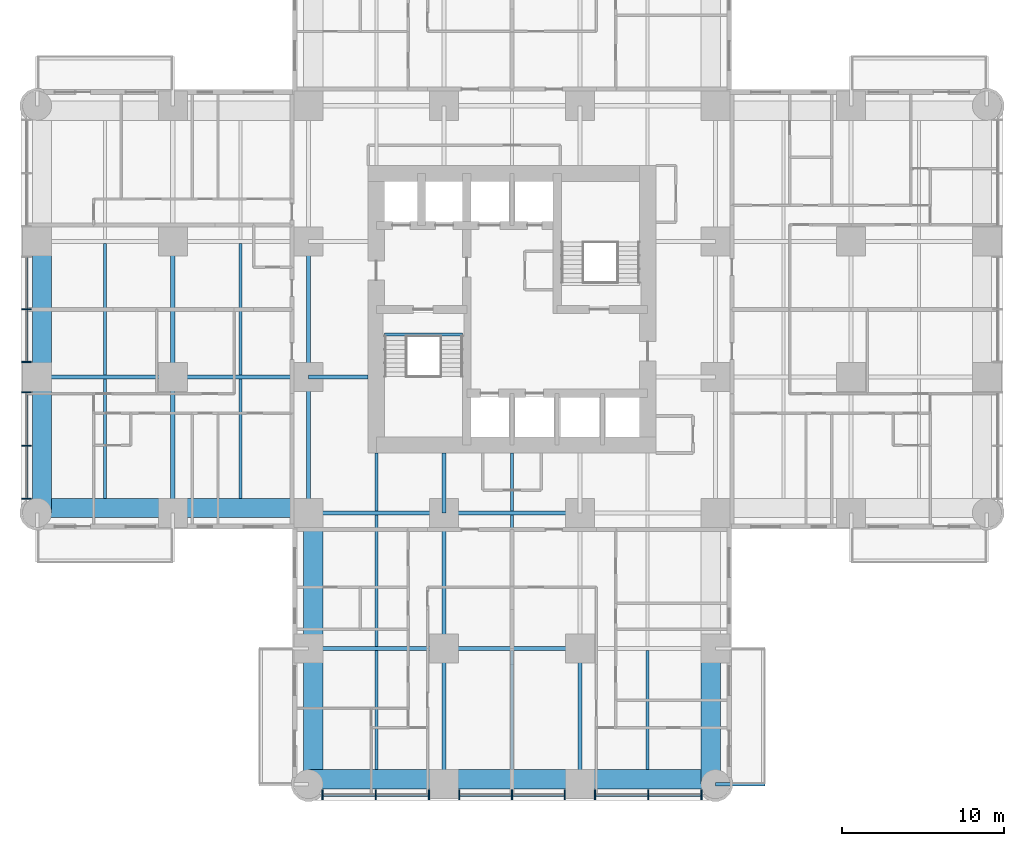
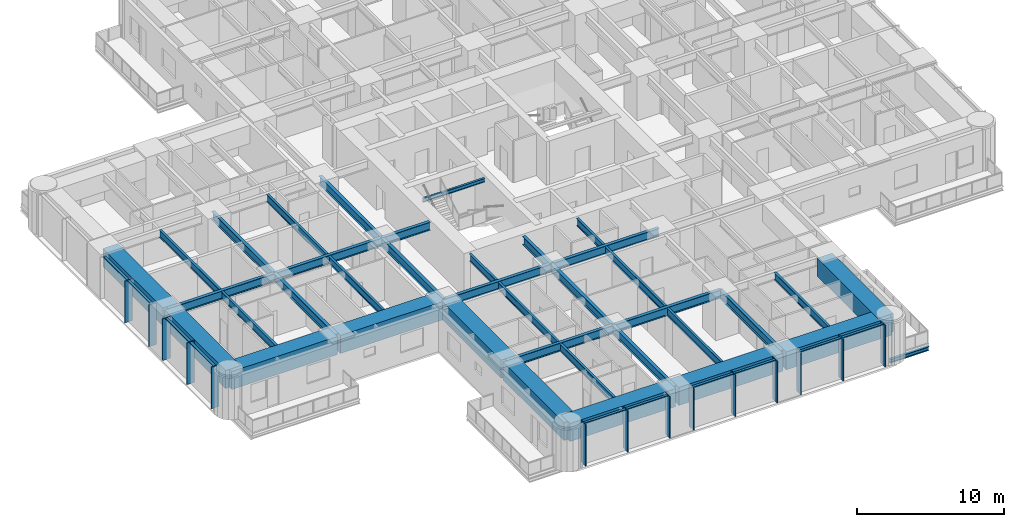
# One storey, part 2 of 17: 38 beams, 24 members, 2 elements without a shape of their own.
"""IFC4 building model written with IfcOpenShell, lengths in metres."""

from ifc_helpers import new_model, si_unit, direction, frame, origin, origin_2d, place, context, subcontext, project, spatial, rectangle, i_section, extrude, material, material_profile, profile_set, type_object, element, aggregate, save


model = new_model("IFC4")

# Units and contexts
model_context = context("Model", 3, precision=1e-05, world=origin(), true_north=direction((0.0, 1.0)))
body_context = subcontext(model_context, "Body", "Model", "MODEL_VIEW")
ifc_project = project(units=[si_unit("LENGTHUNIT", "METRE"), si_unit("AREAUNIT", "SQUARE_METRE"), si_unit("VOLUMEUNIT", "CUBIC_METRE"), si_unit("PLANEANGLEUNIT", "RADIAN"), si_unit("MASSUNIT", "GRAM", prefix="KILO")], contexts=[model_context])

# Site, building, storey
site_placement = place(None, origin())
site = spatial("IfcSite", under=ifc_project, at=site_placement, CompositionType="ELEMENT")
building_placement = place(site_placement, origin())
building = spatial("IfcBuilding", under=site, at=building_placement, Name="Torre Alcanfor", CompositionType="ELEMENT")
storey_placement = place(building_placement, frame((0.0, 0.0, 45.300048828125)))
storey = spatial("IfcBuildingStorey", under=building, at=storey_placement, Name="L10", CompositionType="ELEMENT", Elevation=45.300048828125)

# Beam
ifc_material_1 = material(Name="Steel ASTM A992 Grade 50", Category="steel")
ifc_material_profile_1 = material_profile(ifc_material_1, i_section(OverallWidth=0.205322265625, OverallDepth=0.309814453125, WebThickness=0.00927734375, FlangeThickness=0.016357421875, at=origin_2d()), Name="W12x50")
ifc_profile_set_1 = profile_set([ifc_material_profile_1], Name="Steel ASTM A992 Grade 50")
beam_type_1 = type_object("IfcBeamType", Name="Balcony cantilever beam W12x50", PredefinedType="BEAM", material=ifc_profile_set_1)
beam_1_placement = place(storey_placement, frame((42.0, 0.0, -0.35498046875), z_axis=(1.0, 0.0, 0.0), x_axis=(0.0, 1.0, 0.0)))
element("IfcBeam", 1, at=beam_1_placement, inside=storey, type_object=beam_type_1, Name="Balcony cantilever beam L10-S1 2", PredefinedType="BEAM", context=body_context, shape_type="SweptSolid", body=[
    extrude(i_section(OverallWidth=0.205322265625, OverallDepth=0.309814453125, WebThickness=0.00927734375, FlangeThickness=0.016357421875, at=origin_2d()), origin(), (0.0, 0.0, 1.0), 3.050048828125),
])

# Curtain wall, members
ifc_material_2 = material(Name="Aluminium and glass", Category="aluminium")
curtain_wall_type = type_object("IfcCurtainWallType", Name="CW-A unitised apartment glazing with vertical FIN", PredefinedType="NOTDEFINED", material=ifc_material_2)
curtain_wall_1_placement = place(storey_placement, origin())
curtain_wall_1 = element("IfcCurtainWall", 2, at=curtain_wall_1_placement, inside=storey, type_object=curtain_wall_type, Name="Curtain wall CW-A L10 2", PredefinedType="NOTDEFINED")
ifc_material_3 = material(Name="Bronze anodised aluminium", Category="aluminium")
ifc_material_profile_2 = material_profile(ifc_material_3, rectangle(XDim=0.60009765625, YDim=0.06494140625, at=origin_2d()), Name="CW-A mullion 65x600")
ifc_profile_set_2 = profile_set([ifc_material_profile_2], Name="Bronze anodised aluminium")
member_type_1 = type_object("IfcMemberType", Name="CW-A mullion with vertical FIN 65x600", PredefinedType="MULLION", material=ifc_profile_set_2)
member_1_placement = place(storey_placement, frame((-0.64990234375, 29.39990234375, 0.0), z_axis=(0.0, 0.0, 1.0), x_axis=(1.0, 0.0, 0.0)))
member_1 = element("IfcMember", 3, at=member_1_placement, type_object=member_type_1, Name="CW-A mullion 2.2", PredefinedType="MULLION", context=body_context, shape_type="SweptSolid", body=[
    extrude(rectangle(XDim=0.60009765625, YDim=0.06494140625, at=origin_2d()), origin(), (0.0, 0.0, 1.0), 3.449951171875),
])
member_2_placement = place(storey_placement, frame((-0.64990234375, 26.137451171875, 0.0), z_axis=(0.0, 0.0, 1.0), x_axis=(1.0, 0.0, 0.0)))
member_2 = element("IfcMember", 4, at=member_2_placement, type_object=member_type_1, Name="CW-A mullion 2.3", PredefinedType="MULLION", context=body_context, shape_type="SweptSolid", body=[
    extrude(rectangle(XDim=0.60009765625, YDim=0.06494140625, at=origin_2d()), origin(), (0.0, 0.0, 1.0), 3.449951171875),
])
member_3_placement = place(storey_placement, frame((-0.64990234375, 24.262451171875, 0.0), z_axis=(0.0, 0.0, 1.0), x_axis=(1.0, 0.0, 0.0)))
member_3 = element("IfcMember", 5, at=member_3_placement, type_object=member_type_1, Name="CW-A mullion 3.1", PredefinedType="MULLION", context=body_context, shape_type="SweptSolid", body=[
    extrude(rectangle(XDim=0.60009765625, YDim=0.06494140625, at=origin_2d()), origin(), (0.0, 0.0, 1.0), 3.449951171875),
])
member_4_placement = place(storey_placement, frame((-0.64990234375, 20.96484375, 0.0), z_axis=(0.0, 0.0, 1.0), x_axis=(1.0, 0.0, 0.0)))
member_4 = element("IfcMember", 6, at=member_4_placement, type_object=member_type_1, Name="CW-A mullion 3.2", PredefinedType="MULLION", context=body_context, shape_type="SweptSolid", body=[
    extrude(rectangle(XDim=0.60009765625, YDim=0.06494140625, at=origin_2d()), origin(), (0.0, 0.0, 1.0), 3.449951171875),
])
member_5_placement = place(storey_placement, frame((-0.64990234375, 17.6669921875, 0.0), z_axis=(0.0, 0.0, 1.0), x_axis=(1.0, 0.0, 0.0)))
member_5 = element("IfcMember", 7, at=member_5_placement, type_object=member_type_1, Name="CW-A mullion 3.3", PredefinedType="MULLION", context=body_context, shape_type="SweptSolid", body=[
    extrude(rectangle(XDim=0.60009765625, YDim=0.06494140625, at=origin_2d()), origin(), (0.0, 0.0, 1.0), 3.449951171875),
])

curtain_wall_2_placement = place(storey_placement, origin())
curtain_wall_2 = element("IfcCurtainWall", 8, at=curtain_wall_2_placement, inside=storey, type_object=curtain_wall_type, Name="Curtain wall CW-A L10 5", PredefinedType="NOTDEFINED")
member_6_placement = place(storey_placement, frame((17.6669921875, -0.64990234375, 0.0), z_axis=(0.0, 0.0, 1.0), x_axis=(0.0, 1.0, 0.0)))
member_6 = element("IfcMember", 9, at=member_6_placement, type_object=member_type_1, Name="CW-A mullion 1.1", PredefinedType="MULLION", context=body_context, shape_type="SweptSolid", body=[
    extrude(rectangle(XDim=0.60009765625, YDim=0.06494140625, at=origin_2d()), origin(), (0.0, 0.0, 1.0), 3.449951171875),
])
member_7_placement = place(storey_placement, frame((20.96484375, -0.64990234375, 0.0), z_axis=(0.0, 0.0, 1.0), x_axis=(0.0, 1.0, 0.0)))
member_7 = element("IfcMember", 10, at=member_7_placement, type_object=member_type_1, Name="CW-A mullion 1.2", PredefinedType="MULLION", context=body_context, shape_type="SweptSolid", body=[
    extrude(rectangle(XDim=0.60009765625, YDim=0.06494140625, at=origin_2d()), origin(), (0.0, 0.0, 1.0), 3.449951171875),
])
member_8_placement = place(storey_placement, frame((24.262451171875, -0.64990234375, 0.0), z_axis=(0.0, 0.0, 1.0), x_axis=(0.0, 1.0, 0.0)))
member_8 = element("IfcMember", 11, at=member_8_placement, type_object=member_type_1, Name="CW-A mullion 1.3", PredefinedType="MULLION", context=body_context, shape_type="SweptSolid", body=[
    extrude(rectangle(XDim=0.60009765625, YDim=0.06494140625, at=origin_2d()), origin(), (0.0, 0.0, 1.0), 3.449951171875),
])
member_9_placement = place(storey_placement, frame((26.137451171875, -0.64990234375, 0.0), z_axis=(0.0, 0.0, 1.0), x_axis=(0.0, 1.0, 0.0)))
member_9 = element("IfcMember", 12, at=member_9_placement, type_object=member_type_1, Name="CW-A mullion 2.1", PredefinedType="MULLION", context=body_context, shape_type="SweptSolid", body=[
    extrude(rectangle(XDim=0.60009765625, YDim=0.06494140625, at=origin_2d()), origin(), (0.0, 0.0, 1.0), 3.449951171875),
])
member_10_placement = place(storey_placement, frame((29.39990234375, -0.64990234375, 0.0), z_axis=(0.0, 0.0, 1.0), x_axis=(0.0, 1.0, 0.0)))
member_10 = element("IfcMember", 13, at=member_10_placement, type_object=member_type_1, Name="CW-A mullion 2.2", PredefinedType="MULLION", context=body_context, shape_type="SweptSolid", body=[
    extrude(rectangle(XDim=0.60009765625, YDim=0.06494140625, at=origin_2d()), origin(), (0.0, 0.0, 1.0), 3.449951171875),
])
member_11_placement = place(storey_placement, frame((32.66259765625, -0.64990234375, 0.0), z_axis=(0.0, 0.0, 1.0), x_axis=(0.0, 1.0, 0.0)))
member_11 = element("IfcMember", 14, at=member_11_placement, type_object=member_type_1, Name="CW-A mullion 2.3", PredefinedType="MULLION", context=body_context, shape_type="SweptSolid", body=[
    extrude(rectangle(XDim=0.60009765625, YDim=0.06494140625, at=origin_2d()), origin(), (0.0, 0.0, 1.0), 3.449951171875),
])
member_12_placement = place(storey_placement, frame((34.53759765625, -0.64990234375, 0.0), z_axis=(0.0, 0.0, 1.0), x_axis=(0.0, 1.0, 0.0)))
member_12 = element("IfcMember", 15, at=member_12_placement, type_object=member_type_1, Name="CW-A mullion 3.1", PredefinedType="MULLION", context=body_context, shape_type="SweptSolid", body=[
    extrude(rectangle(XDim=0.60009765625, YDim=0.06494140625, at=origin_2d()), origin(), (0.0, 0.0, 1.0), 3.449951171875),
])
member_13_placement = place(storey_placement, frame((37.835205078125, -0.64990234375, 0.0), z_axis=(0.0, 0.0, 1.0), x_axis=(0.0, 1.0, 0.0)))
member_13 = element("IfcMember", 16, at=member_13_placement, type_object=member_type_1, Name="CW-A mullion 3.2", PredefinedType="MULLION", context=body_context, shape_type="SweptSolid", body=[
    extrude(rectangle(XDim=0.60009765625, YDim=0.06494140625, at=origin_2d()), origin(), (0.0, 0.0, 1.0), 3.449951171875),
])
member_14_placement = place(storey_placement, frame((41.133056640625, -0.64990234375, 0.0), z_axis=(0.0, 0.0, 1.0), x_axis=(0.0, 1.0, 0.0)))
member_14 = element("IfcMember", 17, at=member_14_placement, type_object=member_type_1, Name="CW-A mullion 3.3", PredefinedType="MULLION", context=body_context, shape_type="SweptSolid", body=[
    extrude(rectangle(XDim=0.60009765625, YDim=0.06494140625, at=origin_2d()), origin(), (0.0, 0.0, 1.0), 3.449951171875),
])

# Member
ifc_material_4 = material(Name="Extruded aluminium", Category="aluminium")
ifc_material_profile_3 = material_profile(ifc_material_4, rectangle(XDim=0.199951171875, YDim=0.06494140625, at=origin_2d()), Name="CW-A transom 200x65")
ifc_profile_set_3 = profile_set([ifc_material_profile_3], Name="Extruded aluminium")
member_type_2 = type_object("IfcMemberType", Name="CW-A transom 65x200", PredefinedType="USERDEFINED", material=ifc_profile_set_3)
member_15_placement = place(storey_placement, frame((-0.64990234375, 32.6298828125, 3.41748046875), z_axis=(0.0, -1.0, 0.0), x_axis=(1.0, 0.0, 0.0)))
member_15 = element("IfcMember", 18, at=member_15_placement, type_object=member_type_2, Name="CW-A transom 2.1.2", ObjectType="TRANSOM", PredefinedType="USERDEFINED", context=body_context, shape_type="SweptSolid", body=[
    extrude(rectangle(XDim=0.199951171875, YDim=0.06494140625, at=origin_2d()), origin(), (0.0, 0.0, 1.0), 3.197265625),
])

member_16_placement = place(storey_placement, frame((-0.64990234375, 29.367431640625, 3.41748046875), z_axis=(0.0, -1.0, 0.0), x_axis=(1.0, 0.0, 0.0)))
member_16 = element("IfcMember", 19, at=member_16_placement, type_object=member_type_2, Name="CW-A transom 2.2.2", ObjectType="TRANSOM", PredefinedType="USERDEFINED", context=body_context, shape_type="SweptSolid", body=[
    extrude(rectangle(XDim=0.199951171875, YDim=0.06494140625, at=origin_2d()), origin(), (0.0, 0.0, 1.0), 3.197509765625),
])

member_17_placement = place(storey_placement, frame((-0.64990234375, 24.22998046875, 3.41748046875), z_axis=(0.0, -1.0, 0.0), x_axis=(1.0, 0.0, 0.0)))
member_17 = element("IfcMember", 20, at=member_17_placement, type_object=member_type_2, Name="CW-A transom 3.1.2", ObjectType="TRANSOM", PredefinedType="USERDEFINED", context=body_context, shape_type="SweptSolid", body=[
    extrude(rectangle(XDim=0.199951171875, YDim=0.06494140625, at=origin_2d()), origin(), (0.0, 0.0, 1.0), 3.232666015625),
])

member_18_placement = place(storey_placement, frame((-0.64990234375, 20.93212890625, 3.41748046875), z_axis=(0.0, -1.0, 0.0), x_axis=(1.0, 0.0, 0.0)))
member_18 = element("IfcMember", 21, at=member_18_placement, type_object=member_type_2, Name="CW-A transom 3.2.2", ObjectType="TRANSOM", PredefinedType="USERDEFINED", context=body_context, shape_type="SweptSolid", body=[
    extrude(rectangle(XDim=0.199951171875, YDim=0.06494140625, at=origin_2d()), origin(), (0.0, 0.0, 1.0), 3.232666015625),
])

aggregate(curtain_wall_1, [member_1, member_2, member_15, member_16, member_3, member_4, member_5, member_17, member_18])

member_19_placement = place(storey_placement, frame((17.699462890625, -0.64990234375, 3.41748046875), z_axis=(1.0, 0.0, 0.0), x_axis=(0.0, 1.0, 0.0)))
member_19 = element("IfcMember", 22, at=member_19_placement, type_object=member_type_2, Name="CW-A transom 1.1.2", ObjectType="TRANSOM", PredefinedType="USERDEFINED", context=body_context, shape_type="SweptSolid", body=[
    extrude(rectangle(XDim=0.199951171875, YDim=0.06494140625, at=origin_2d()), origin(), (0.0, 0.0, 1.0), 3.232666015625),
])

member_20_placement = place(storey_placement, frame((20.997314453125, -0.64990234375, 3.41748046875), z_axis=(1.0, 0.0, 0.0), x_axis=(0.0, 1.0, 0.0)))
member_20 = element("IfcMember", 23, at=member_20_placement, type_object=member_type_2, Name="CW-A transom 1.2.2", ObjectType="TRANSOM", PredefinedType="USERDEFINED", context=body_context, shape_type="SweptSolid", body=[
    extrude(rectangle(XDim=0.199951171875, YDim=0.06494140625, at=origin_2d()), origin(), (0.0, 0.0, 1.0), 3.232666015625),
])

member_21_placement = place(storey_placement, frame((26.169921875, -0.64990234375, 3.41748046875), z_axis=(1.0, 0.0, 0.0), x_axis=(0.0, 1.0, 0.0)))
member_21 = element("IfcMember", 24, at=member_21_placement, type_object=member_type_2, Name="CW-A transom 2.1.2", ObjectType="TRANSOM", PredefinedType="USERDEFINED", context=body_context, shape_type="SweptSolid", body=[
    extrude(rectangle(XDim=0.199951171875, YDim=0.06494140625, at=origin_2d()), origin(), (0.0, 0.0, 1.0), 3.197509765625),
])

member_22_placement = place(storey_placement, frame((29.4326171875, -0.64990234375, 3.41748046875), z_axis=(1.0, 0.0, 0.0), x_axis=(0.0, 1.0, 0.0)))
member_22 = element("IfcMember", 25, at=member_22_placement, type_object=member_type_2, Name="CW-A transom 2.2.2", ObjectType="TRANSOM", PredefinedType="USERDEFINED", context=body_context, shape_type="SweptSolid", body=[
    extrude(rectangle(XDim=0.199951171875, YDim=0.06494140625, at=origin_2d()), origin(), (0.0, 0.0, 1.0), 3.197265625),
])

member_23_placement = place(storey_placement, frame((34.570068359375, -0.64990234375, 3.41748046875), z_axis=(1.0, 0.0, 0.0), x_axis=(0.0, 1.0, 0.0)))
member_23 = element("IfcMember", 26, at=member_23_placement, type_object=member_type_2, Name="CW-A transom 3.1.2", ObjectType="TRANSOM", PredefinedType="USERDEFINED", context=body_context, shape_type="SweptSolid", body=[
    extrude(rectangle(XDim=0.199951171875, YDim=0.06494140625, at=origin_2d()), origin(), (0.0, 0.0, 1.0), 3.232666015625),
])

member_24_placement = place(storey_placement, frame((37.86767578125, -0.64990234375, 3.41748046875), z_axis=(1.0, 0.0, 0.0), x_axis=(0.0, 1.0, 0.0)))
member_24 = element("IfcMember", 27, at=member_24_placement, type_object=member_type_2, Name="CW-A transom 3.2.2", ObjectType="TRANSOM", PredefinedType="USERDEFINED", context=body_context, shape_type="SweptSolid", body=[
    extrude(rectangle(XDim=0.199951171875, YDim=0.06494140625, at=origin_2d()), origin(), (0.0, 0.0, 1.0), 3.23291015625),
])

aggregate(curtain_wall_2, [member_6, member_7, member_8, member_19, member_20, member_9, member_10, member_11, member_21, member_22, member_12, member_13, member_14, member_23, member_24])

# Beams
ifc_material_5 = material(Name="Steel ASTM A992 Grade 50", Category="steel")
ifc_material_profile_4 = material_profile(ifc_material_5, i_section(OverallWidth=0.25390625, OverallDepth=0.683349609375, WebThickness=0.012451171875, FlangeThickness=0.01904296875, at=origin_2d()), Name="W27x94")
ifc_profile_set_4 = profile_set([ifc_material_profile_4], Name="Steel ASTM A992 Grade 50")
beam_type_2 = type_object("IfcBeamType", Name="Girder W27x94", PredefinedType="BEAM", material=ifc_profile_set_4)
beam_2_placement = place(storey_placement, frame((16.800048828125, 8.39990234375, 3.1083984375), z_axis=(1.0, 0.0, 0.0), x_axis=(0.0, 1.0, 0.0)))
element("IfcBeam", 28, at=beam_2_placement, inside=storey, type_object=beam_type_2, Name="Beam 3D-4D under L11", PredefinedType="BEAM", context=body_context, shape_type="SweptSolid", body=[
    extrude(i_section(OverallWidth=0.25390625, OverallDepth=0.683349609375, WebThickness=0.012451171875, FlangeThickness=0.01904296875, at=origin_2d()), origin(), (0.0, 0.0, 1.0), 8.39990234375),
])
beam_3_placement = place(storey_placement, frame((25.199951171875, 8.39990234375, 3.1083984375), z_axis=(1.0, 0.0, 0.0), x_axis=(0.0, 1.0, 0.0)))
element("IfcBeam", 29, at=beam_3_placement, inside=storey, type_object=beam_type_2, Name="Beam 4D-5D under L11", PredefinedType="BEAM", context=body_context, shape_type="SweptSolid", body=[
    extrude(i_section(OverallWidth=0.25390625, OverallDepth=0.683349609375, WebThickness=0.012451171875, FlangeThickness=0.01904296875, at=origin_2d()), origin(), (0.0, 0.0, 1.0), 8.400146484375),
])
beam_4_placement = place(storey_placement, frame((16.800048828125, 16.800048828125, 3.1083984375), z_axis=(1.0, 0.0, 0.0), x_axis=(0.0, 1.0, 0.0)))
element("IfcBeam", 30, at=beam_4_placement, inside=storey, type_object=beam_type_2, Name="Beam 3E-4E under L11", PredefinedType="BEAM", context=body_context, shape_type="SweptSolid", body=[
    extrude(i_section(OverallWidth=0.25390625, OverallDepth=0.683349609375, WebThickness=0.012451171875, FlangeThickness=0.01904296875, at=origin_2d()), origin(), (0.0, 0.0, 1.0), 8.39990234375),
])
beam_5_placement = place(storey_placement, frame((25.199951171875, 16.800048828125, 3.1083984375), z_axis=(1.0, 0.0, 0.0), x_axis=(0.0, 1.0, 0.0)))
element("IfcBeam", 31, at=beam_5_placement, inside=storey, type_object=beam_type_2, Name="Beam 4E-5E under L11", PredefinedType="BEAM", context=body_context, shape_type="SweptSolid", body=[
    extrude(i_section(OverallWidth=0.25390625, OverallDepth=0.683349609375, WebThickness=0.012451171875, FlangeThickness=0.01904296875, at=origin_2d()), origin(), (0.0, 0.0, 1.0), 8.400146484375),
])
beam_6_placement = place(storey_placement, frame((0.0, 25.199951171875, 3.1083984375), z_axis=(1.0, 0.0, 0.0), x_axis=(0.0, 1.0, 0.0)))
element("IfcBeam", 32, at=beam_6_placement, inside=storey, type_object=beam_type_2, Name="Beam 1F-2F under L11", PredefinedType="BEAM", context=body_context, shape_type="SweptSolid", body=[
    extrude(i_section(OverallWidth=0.25390625, OverallDepth=0.683349609375, WebThickness=0.012451171875, FlangeThickness=0.01904296875, at=origin_2d()), origin(), (0.0, 0.0, 1.0), 8.39990234375),
])
beam_7_placement = place(storey_placement, frame((8.39990234375, 25.199951171875, 3.1083984375), z_axis=(1.0, 0.0, 0.0), x_axis=(0.0, 1.0, 0.0)))
element("IfcBeam", 33, at=beam_7_placement, inside=storey, type_object=beam_type_2, Name="Beam 2F-3F under L11", PredefinedType="BEAM", context=body_context, shape_type="SweptSolid", body=[
    extrude(i_section(OverallWidth=0.25390625, OverallDepth=0.683349609375, WebThickness=0.012451171875, FlangeThickness=0.01904296875, at=origin_2d()), origin(), (0.0, 0.0, 1.0), 8.400146484375),
])
beam_8_placement = place(storey_placement, frame((8.39990234375, 16.800048828125, 3.1083984375), z_axis=(0.0, 1.0, 0.0), x_axis=(-1.0, 0.0, 0.0)))
element("IfcBeam", 34, at=beam_8_placement, inside=storey, type_object=beam_type_2, Name="Beam 2E-2F under L11", PredefinedType="BEAM", context=body_context, shape_type="SweptSolid", body=[
    extrude(i_section(OverallWidth=0.25390625, OverallDepth=0.683349609375, WebThickness=0.012451171875, FlangeThickness=0.01904296875, at=origin_2d()), origin(), (0.0, 0.0, 1.0), 8.39990234375),
])
beam_9_placement = place(storey_placement, frame((8.39990234375, 25.199951171875, 3.1083984375), z_axis=(0.0, 1.0, 0.0), x_axis=(-1.0, 0.0, 0.0)))
element("IfcBeam", 35, at=beam_9_placement, inside=storey, type_object=beam_type_2, Name="Beam 2F-2G under L11", PredefinedType="BEAM", context=body_context, shape_type="SweptSolid", body=[
    extrude(i_section(OverallWidth=0.25390625, OverallDepth=0.683349609375, WebThickness=0.012451171875, FlangeThickness=0.01904296875, at=origin_2d()), origin(), (0.0, 0.0, 1.0), 8.400146484375),
])
beam_10_placement = place(storey_placement, frame((16.800048828125, 16.800048828125, 3.1083984375), z_axis=(0.0, 1.0, 0.0), x_axis=(-1.0, 0.0, 0.0)))
element("IfcBeam", 36, at=beam_10_placement, inside=storey, type_object=beam_type_2, Name="Beam 3E-3F under L11", PredefinedType="BEAM", context=body_context, shape_type="SweptSolid", body=[
    extrude(i_section(OverallWidth=0.25390625, OverallDepth=0.683349609375, WebThickness=0.012451171875, FlangeThickness=0.01904296875, at=origin_2d()), origin(), (0.0, 0.0, 1.0), 8.39990234375),
])
beam_11_placement = place(storey_placement, frame((16.800048828125, 25.199951171875, 3.1083984375), z_axis=(0.0, 1.0, 0.0), x_axis=(-1.0, 0.0, 0.0)))
element("IfcBeam", 37, at=beam_11_placement, inside=storey, type_object=beam_type_2, Name="Beam 3F-3G under L11", PredefinedType="BEAM", context=body_context, shape_type="SweptSolid", body=[
    extrude(i_section(OverallWidth=0.25390625, OverallDepth=0.683349609375, WebThickness=0.012451171875, FlangeThickness=0.01904296875, at=origin_2d()), origin(), (0.0, 0.0, 1.0), 8.400146484375),
])
beam_12_placement = place(storey_placement, frame((25.199951171875, 0.0, 3.1083984375), z_axis=(0.0, 1.0, 0.0), x_axis=(-1.0, 0.0, 0.0)))
element("IfcBeam", 38, at=beam_12_placement, inside=storey, type_object=beam_type_2, Name="Beam 4C-4D under L11", PredefinedType="BEAM", context=body_context, shape_type="SweptSolid", body=[
    extrude(i_section(OverallWidth=0.25390625, OverallDepth=0.683349609375, WebThickness=0.012451171875, FlangeThickness=0.01904296875, at=origin_2d()), origin(), (0.0, 0.0, 1.0), 8.39990234375),
])
beam_13_placement = place(storey_placement, frame((25.199951171875, 8.39990234375, 3.1083984375), z_axis=(0.0, 1.0, 0.0), x_axis=(-1.0, 0.0, 0.0)))
element("IfcBeam", 39, at=beam_13_placement, inside=storey, type_object=beam_type_2, Name="Beam 4D-4E under L11", PredefinedType="BEAM", context=body_context, shape_type="SweptSolid", body=[
    extrude(i_section(OverallWidth=0.25390625, OverallDepth=0.683349609375, WebThickness=0.012451171875, FlangeThickness=0.01904296875, at=origin_2d()), origin(), (0.0, 0.0, 1.0), 8.400146484375),
])
beam_14_placement = place(storey_placement, frame((33.60009765625, 0.0, 3.1083984375), z_axis=(0.0, 1.0, 0.0), x_axis=(-1.0, 0.0, 0.0)))
element("IfcBeam", 40, at=beam_14_placement, inside=storey, type_object=beam_type_2, Name="Beam 5C-5D under L11", PredefinedType="BEAM", context=body_context, shape_type="SweptSolid", body=[
    extrude(i_section(OverallWidth=0.25390625, OverallDepth=0.683349609375, WebThickness=0.012451171875, FlangeThickness=0.01904296875, at=origin_2d()), origin(), (0.0, 0.0, 1.0), 8.39990234375),
])
ifc_material_6 = material(Name="Steel ASTM A992 Grade 50", Category="steel")
ifc_material_profile_5 = material_profile(ifc_material_6, i_section(OverallWidth=0.25390625, OverallDepth=0.683349609375, WebThickness=0.012451171875, FlangeThickness=0.01904296875, at=origin_2d()), Name="W27x94")
ifc_profile_set_5 = profile_set([ifc_material_profile_5], Name="Steel ASTM A992 Grade 50")
beam_type_3 = type_object("IfcBeamType", Name="Girder, part bay W27x94", PredefinedType="BEAM", material=ifc_profile_set_5)
for number, where, z_axis, x_axis, name in (
    (41, (25.199951171875, 16.800048828125, 3.1083984375), (0.0, 1.0, 0.0), (-1.0, 0.0, 0.0), "Beam 4E-420_5 under L11"),
    (42, (16.800048828125, 25.199951171875, 3.1083984375), (1.0, 0.0, 0.0), (0.0, 1.0, 0.0), "Beam 3F-20_5F under L11"),
):
    element("IfcBeam", number, at=place(storey_placement, frame(where, z_axis=z_axis, x_axis=x_axis)), inside=storey, type_object=beam_type_3, Name=name, PredefinedType="BEAM", context=body_context, shape_type="SweptSolid", body=[
        extrude(i_section(OverallWidth=0.25390625, OverallDepth=0.683349609375, WebThickness=0.012451171875, FlangeThickness=0.01904296875, at=origin_2d()), origin(), (0.0, 0.0, 1.0), 3.699951171875),
    ])
ifc_material_7 = material(Name="Concrete f'c 70 MPa", Category="concrete")
ifc_material_profile_6 = material_profile(ifc_material_7, rectangle(XDim=1.199951171875, YDim=1.5, at=origin_2d()), Name="1200x1500")
ifc_profile_set_6 = profile_set([ifc_material_profile_6], Name="Concrete f'c 70 MPa")
beam_type_4 = type_object("IfcBeamType", Name="RC perimeter beam 1200x1500", PredefinedType="BEAM", material=ifc_profile_set_6)
beam_15_placement = place(storey_placement, frame((16.800048828125, 0.300048828125, 2.699951171875), z_axis=(1.0, 0.0, 0.0), x_axis=(0.0, 1.0, 0.0)))
element("IfcBeam", 43, at=beam_15_placement, inside=storey, type_object=beam_type_4, Name="Beam 3C-4C under L11", PredefinedType="BEAM", context=body_context, shape_type="SweptSolid", body=[
    extrude(rectangle(XDim=1.199951171875, YDim=1.5, at=origin_2d()), origin(), (0.0, 0.0, 1.0), 8.27294921875),
])
beam_16_placement = place(storey_placement, frame((25.326904296875, 0.300048828125, 2.699951171875), z_axis=(1.0, 0.0, 0.0), x_axis=(0.0, 1.0, 0.0)))
element("IfcBeam", 44, at=beam_16_placement, inside=storey, type_object=beam_type_4, Name="Beam 4C-5C under L11", PredefinedType="BEAM", context=body_context, shape_type="SweptSolid", body=[
    extrude(rectangle(XDim=1.199951171875, YDim=1.5, at=origin_2d()), origin(), (0.0, 0.0, 1.0), 8.14599609375),
])
for number, where, z_axis, x_axis, name in (
    (45, (33.72705078125, 0.300048828125, 2.699951171875), (1.0, 0.0, 0.0), (0.0, 1.0, 0.0), "Beam 5C-6C under L11"),
    (46, (0.0, 17.10009765625, 2.699951171875), (1.0, 0.0, 0.0), (0.0, 1.0, 0.0), "Beam 1E-2E under L11"),
):
    element("IfcBeam", number, at=place(storey_placement, frame(where, z_axis=z_axis, x_axis=x_axis)), inside=storey, type_object=beam_type_4, Name=name, PredefinedType="BEAM", context=body_context, shape_type="SweptSolid", body=[
        extrude(rectangle(XDim=1.199951171875, YDim=1.5, at=origin_2d()), origin(), (0.0, 0.0, 1.0), 8.27294921875),
    ])
beam_17_placement = place(storey_placement, frame((8.527099609375, 17.10009765625, 2.699951171875), z_axis=(1.0, 0.0, 0.0), x_axis=(0.0, 1.0, 0.0)))
element("IfcBeam", 47, at=beam_17_placement, inside=storey, type_object=beam_type_4, Name="Beam 2E-3E under L11", PredefinedType="BEAM", context=body_context, shape_type="SweptSolid", body=[
    extrude(rectangle(XDim=1.199951171875, YDim=1.5, at=origin_2d()), origin(), (0.0, 0.0, 1.0), 8.14599609375),
])
beam_18_placement = place(storey_placement, frame((0.300048828125, 16.800048828125, 2.699951171875), z_axis=(0.0, 1.0, 0.0), x_axis=(-1.0, 0.0, 0.0)))
element("IfcBeam", 48, at=beam_18_placement, inside=storey, type_object=beam_type_4, Name="Beam 1E-1F under L11", PredefinedType="BEAM", context=body_context, shape_type="SweptSolid", body=[
    extrude(rectangle(XDim=1.199951171875, YDim=1.5, at=origin_2d()), origin(), (0.0, 0.0, 1.0), 8.27294921875),
])
beam_19_placement = place(storey_placement, frame((0.300048828125, 25.326904296875, 2.699951171875), z_axis=(0.0, 1.0, 0.0), x_axis=(-1.0, 0.0, 0.0)))
element("IfcBeam", 49, at=beam_19_placement, inside=storey, type_object=beam_type_4, Name="Beam 1F-1G under L11", PredefinedType="BEAM", context=body_context, shape_type="SweptSolid", body=[
    extrude(rectangle(XDim=1.199951171875, YDim=1.5, at=origin_2d()), origin(), (0.0, 0.0, 1.0), 8.14599609375),
])
beam_20_placement = place(storey_placement, frame((17.10009765625, 0.0, 2.699951171875), z_axis=(0.0, 1.0, 0.0), x_axis=(-1.0, 0.0, 0.0)))
element("IfcBeam", 50, at=beam_20_placement, inside=storey, type_object=beam_type_4, Name="Beam 3C-3D under L11", PredefinedType="BEAM", context=body_context, shape_type="SweptSolid", body=[
    extrude(rectangle(XDim=1.199951171875, YDim=1.5, at=origin_2d()), origin(), (0.0, 0.0, 1.0), 8.27294921875),
])
beam_21_placement = place(storey_placement, frame((17.10009765625, 8.527099609375, 2.699951171875), z_axis=(0.0, 1.0, 0.0), x_axis=(-1.0, 0.0, 0.0)))
element("IfcBeam", 51, at=beam_21_placement, inside=storey, type_object=beam_type_4, Name="Beam 3D-3E under L11", PredefinedType="BEAM", context=body_context, shape_type="SweptSolid", body=[
    extrude(rectangle(XDim=1.199951171875, YDim=1.5, at=origin_2d()), origin(), (0.0, 0.0, 1.0), 8.14599609375),
])
beam_22_placement = place(storey_placement, frame((41.699951171875, 0.0, 2.699951171875), z_axis=(0.0, 1.0, 0.0), x_axis=(-1.0, 0.0, 0.0)))
element("IfcBeam", 52, at=beam_22_placement, inside=storey, type_object=beam_type_4, Name="Beam 6C-6D under L11", PredefinedType="BEAM", context=body_context, shape_type="SweptSolid", body=[
    extrude(rectangle(XDim=1.199951171875, YDim=1.5, at=origin_2d()), origin(), (0.0, 0.0, 1.0), 8.27294921875),
])
ifc_material_8 = material(Name="Steel ASTM A992 Grade 50", Category="steel")
ifc_material_profile_7 = material_profile(ifc_material_8, i_section(OverallWidth=0.1787109375, OverallDepth=0.60205078125, WebThickness=0.010986328125, FlangeThickness=0.014892578125, at=origin_2d()), Name="W24x62")
ifc_profile_set_7 = profile_set([ifc_material_profile_7], Name="Steel ASTM A992 Grade 50")
beam_type_5 = type_object("IfcBeamType", Name="Secondary beam W24x62", PredefinedType="BEAM", material=ifc_profile_set_7)
beam_23_placement = place(storey_placement, frame((4.199951171875, 17.699951171875, 3.14892578125), z_axis=(0.0, 1.0, 0.0), x_axis=(-1.0, 0.0, 0.0)))
element("IfcBeam", 53, at=beam_23_placement, inside=storey, type_object=beam_type_5, Name="Beam 4_2E-4_2F under L11", PredefinedType="BEAM", context=body_context, shape_type="SweptSolid", body=[
    extrude(i_section(OverallWidth=0.1787109375, OverallDepth=0.60205078125, WebThickness=0.010986328125, FlangeThickness=0.014892578125, at=origin_2d()), origin(), (0.0, 0.0, 1.0), 7.373046875),
])
beam_24_placement = place(storey_placement, frame((4.199951171875, 25.326904296875, 3.14892578125), z_axis=(0.0, 1.0, 0.0), x_axis=(-1.0, 0.0, 0.0)))
element("IfcBeam", 54, at=beam_24_placement, inside=storey, type_object=beam_type_5, Name="Beam 4_2F-4_2G under L11", PredefinedType="BEAM", context=body_context, shape_type="SweptSolid", body=[
    extrude(i_section(OverallWidth=0.1787109375, OverallDepth=0.60205078125, WebThickness=0.010986328125, FlangeThickness=0.014892578125, at=origin_2d()), origin(), (0.0, 0.0, 1.0), 8.14599609375),
])
beam_25_placement = place(storey_placement, frame((12.60009765625, 17.699951171875, 3.14892578125), z_axis=(0.0, 1.0, 0.0), x_axis=(-1.0, 0.0, 0.0)))
element("IfcBeam", 55, at=beam_25_placement, inside=storey, type_object=beam_type_5, Name="Beam 12_6E-12_6F under L11", PredefinedType="BEAM", context=body_context, shape_type="SweptSolid", body=[
    extrude(i_section(OverallWidth=0.1787109375, OverallDepth=0.60205078125, WebThickness=0.010986328125, FlangeThickness=0.014892578125, at=origin_2d()), origin(), (0.0, 0.0, 1.0), 7.373046875),
])
beam_26_placement = place(storey_placement, frame((12.60009765625, 25.326904296875, 3.14892578125), z_axis=(0.0, 1.0, 0.0), x_axis=(-1.0, 0.0, 0.0)))
element("IfcBeam", 56, at=beam_26_placement, inside=storey, type_object=beam_type_5, Name="Beam 12_6F-12_6G under L11", PredefinedType="BEAM", context=body_context, shape_type="SweptSolid", body=[
    extrude(i_section(OverallWidth=0.1787109375, OverallDepth=0.60205078125, WebThickness=0.010986328125, FlangeThickness=0.014892578125, at=origin_2d()), origin(), (0.0, 0.0, 1.0), 8.14599609375),
])
beam_27_placement = place(storey_placement, frame((21.0, 0.89990234375, 3.14892578125), z_axis=(0.0, 1.0, 0.0), x_axis=(-1.0, 0.0, 0.0)))
element("IfcBeam", 57, at=beam_27_placement, inside=storey, type_object=beam_type_5, Name="Beam 21C-21D under L11", PredefinedType="BEAM", context=body_context, shape_type="SweptSolid", body=[
    extrude(i_section(OverallWidth=0.1787109375, OverallDepth=0.60205078125, WebThickness=0.010986328125, FlangeThickness=0.014892578125, at=origin_2d()), origin(), (0.0, 0.0, 1.0), 7.373046875),
])
beam_28_placement = place(storey_placement, frame((21.0, 8.527099609375, 3.14892578125), z_axis=(0.0, 1.0, 0.0), x_axis=(-1.0, 0.0, 0.0)))
element("IfcBeam", 58, at=beam_28_placement, inside=storey, type_object=beam_type_5, Name="Beam 21D-21E under L11", PredefinedType="BEAM", context=body_context, shape_type="SweptSolid", body=[
    extrude(i_section(OverallWidth=0.1787109375, OverallDepth=0.60205078125, WebThickness=0.010986328125, FlangeThickness=0.014892578125, at=origin_2d()), origin(), (0.0, 0.0, 1.0), 8.14599609375),
])
beam_29_placement = place(storey_placement, frame((29.39990234375, 0.89990234375, 3.14892578125), z_axis=(0.0, 1.0, 0.0), x_axis=(-1.0, 0.0, 0.0)))
element("IfcBeam", 59, at=beam_29_placement, inside=storey, type_object=beam_type_5, Name="Beam 29_4C-29_4D under L11", PredefinedType="BEAM", context=body_context, shape_type="SweptSolid", body=[
    extrude(i_section(OverallWidth=0.1787109375, OverallDepth=0.60205078125, WebThickness=0.010986328125, FlangeThickness=0.014892578125, at=origin_2d()), origin(), (0.0, 0.0, 1.0), 7.373046875),
])
beam_30_placement = place(storey_placement, frame((29.39990234375, 8.527099609375, 3.14892578125), z_axis=(0.0, 1.0, 0.0), x_axis=(-1.0, 0.0, 0.0)))
element("IfcBeam", 60, at=beam_30_placement, inside=storey, type_object=beam_type_5, Name="Beam 29_4D-29_4E under L11", PredefinedType="BEAM", context=body_context, shape_type="SweptSolid", body=[
    extrude(i_section(OverallWidth=0.1787109375, OverallDepth=0.60205078125, WebThickness=0.010986328125, FlangeThickness=0.014892578125, at=origin_2d()), origin(), (0.0, 0.0, 1.0), 8.14599609375),
])
beam_31_placement = place(storey_placement, frame((37.800048828125, 0.89990234375, 3.14892578125), z_axis=(0.0, 1.0, 0.0), x_axis=(-1.0, 0.0, 0.0)))
element("IfcBeam", 61, at=beam_31_placement, inside=storey, type_object=beam_type_5, Name="Beam 37_8C-37_8D under L11", PredefinedType="BEAM", context=body_context, shape_type="SweptSolid", body=[
    extrude(i_section(OverallWidth=0.1787109375, OverallDepth=0.60205078125, WebThickness=0.010986328125, FlangeThickness=0.014892578125, at=origin_2d()), origin(), (0.0, 0.0, 1.0), 7.373046875),
])
ifc_material_9 = material(Name="Steel ASTM A992 Grade 50", Category="steel")
ifc_material_profile_8 = material_profile(ifc_material_9, i_section(OverallWidth=0.1787109375, OverallDepth=0.60205078125, WebThickness=0.010986328125, FlangeThickness=0.014892578125, at=origin_2d()), Name="W24x62")
ifc_profile_set_8 = profile_set([ifc_material_profile_8], Name="Steel ASTM A992 Grade 50")
beam_type_6 = type_object("IfcBeamType", Name="Secondary beam, part bay W24x62", PredefinedType="BEAM", material=ifc_profile_set_8)
for number, where, z_axis, x_axis, name in (
    (62, (21.0, 16.927001953125, 3.14892578125), (0.0, 1.0, 0.0), (-1.0, 0.0, 0.0), "Beam 21E-2120_5 under L11"),
    (63, (29.39990234375, 16.927001953125, 3.14892578125), (0.0, 1.0, 0.0), (-1.0, 0.0, 0.0), "Beam 29_4E-29_420_5 under L11"),
):
    element("IfcBeam", number, at=place(storey_placement, frame(where, z_axis=z_axis, x_axis=x_axis)), inside=storey, type_object=beam_type_6, Name=name, PredefinedType="BEAM", context=body_context, shape_type="SweptSolid", body=[
        extrude(i_section(OverallWidth=0.1787109375, OverallDepth=0.60205078125, WebThickness=0.010986328125, FlangeThickness=0.014892578125, at=origin_2d()), origin(), (0.0, 0.0, 1.0), 3.572998046875),
    ])
ifc_material_10 = material(Name="Steel ASTM A992 Grade 50", Category="steel")
ifc_material_profile_9 = material_profile(ifc_material_10, i_section(OverallWidth=0.164794921875, OverallDepth=0.309814453125, WebThickness=0.005859375, FlangeThickness=0.009765625, at=origin_2d()), Name="W12x26")
ifc_profile_set_9 = profile_set([ifc_material_profile_9], Name="Steel ASTM A992 Grade 50")
beam_type_7 = type_object("IfcBeamType", Name="Stair landing beam W12x26", PredefinedType="BEAM", material=ifc_profile_set_9)
beam_32_placement = place(storey_placement, frame((21.5, 27.83740234375, 3.2451171875), z_axis=(1.0, 0.0, 0.0), x_axis=(0.0, 1.0, 0.0)))
element("IfcBeam", 64, at=beam_32_placement, inside=storey, type_object=beam_type_7, Name="Landing trimmer S1 L11", PredefinedType="BEAM", context=body_context, shape_type="SweptSolid", body=[
    extrude(i_section(OverallWidth=0.164794921875, OverallDepth=0.309814453125, WebThickness=0.005859375, FlangeThickness=0.009765625, at=origin_2d()), origin(), (0.0, 0.0, 1.0), 4.85009765625),
])

save(model, "model.ifc")
